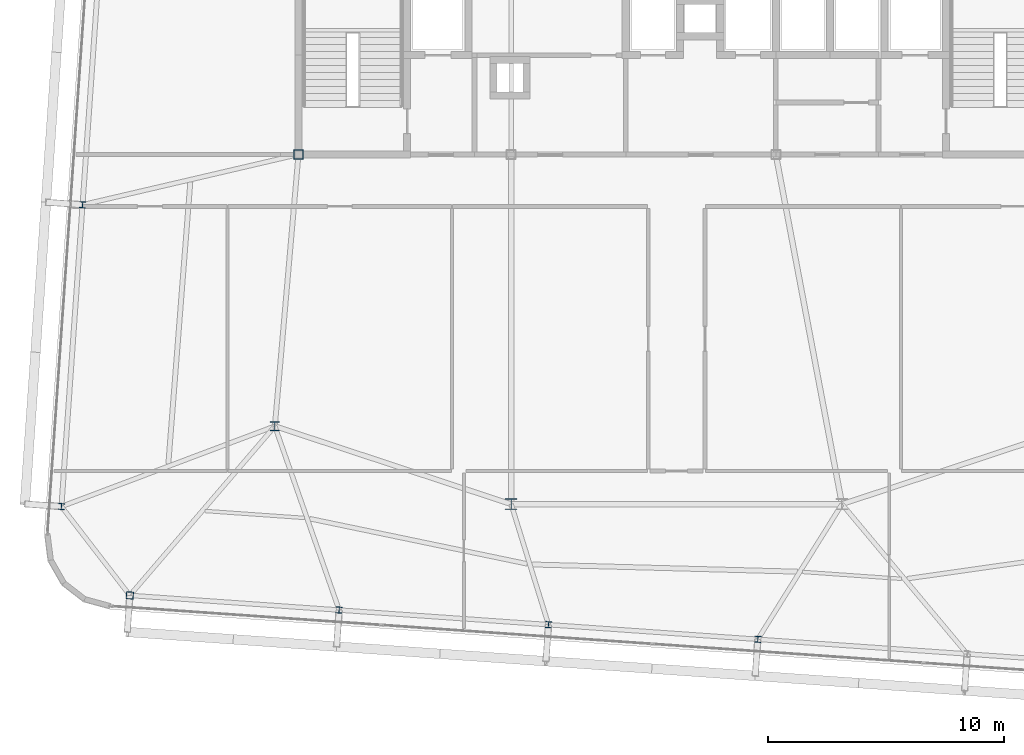
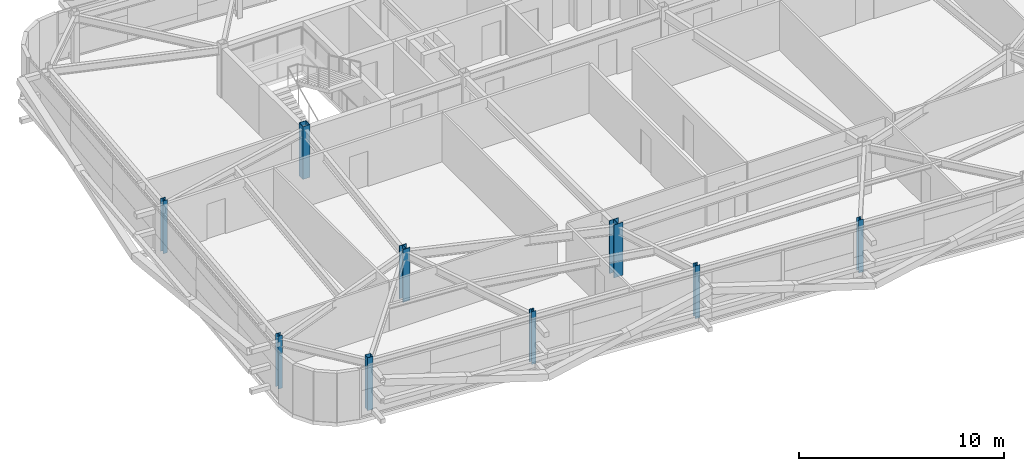
# One storey, part 1 of 39: 9 columns.
"""IFC4 building model written with IfcOpenShell, lengths in metres."""

from ifc_helpers import new_model, si_unit, direction, frame, origin, origin_2d, place, context, subcontext, project, spatial, hollow_rectangle, i_section, extrude, source, transform, mapped, material, material_profile, profile_set, type_object, element, save


model = new_model("IFC4")

# Units and contexts
model_context = context("Model", 3, precision=1e-05, world=origin(), true_north=direction((0.0, 1.0)))
body_context = subcontext(model_context, "Body", "Model", "MODEL_VIEW")
ifc_project = project(units=[si_unit("LENGTHUNIT", "METRE"), si_unit("AREAUNIT", "SQUARE_METRE"), si_unit("VOLUMEUNIT", "CUBIC_METRE"), si_unit("PLANEANGLEUNIT", "RADIAN"), si_unit("MASSUNIT", "GRAM", prefix="KILO")], contexts=[model_context])

# Site, building, storey
site_placement = place(None, origin())
site = spatial("IfcSite", under=ifc_project, at=site_placement, CompositionType="ELEMENT")
building_placement = place(site_placement, origin())
building = spatial("IfcBuilding", under=site, at=building_placement, Name="Taldren Reach Tower", CompositionType="ELEMENT")
storey_placement = place(building_placement, frame((0.0, 0.0, 129.85009765625)))
storey = spatial("IfcBuildingStorey", under=building, at=storey_placement, Name="L39", CompositionType="ELEMENT", Elevation=129.85009765625)

# Columns
ifc_material_1 = material(Name="Steel Gr 350 (350PLUS)", Category="steel")
ifc_material_profile_1 = material_profile(ifc_material_1, i_section(OverallWidth=0.39990234375, OverallDepth=0.39599609375, WebThickness=0.02197265625, FlangeThickness=0.033935546875, at=origin_2d()), Name="400WC270")
ifc_profile_set_1 = profile_set([ifc_material_profile_1], Name="Steel Gr 350 (350PLUS)")
column_type_1 = type_object("IfcColumnType", Name="COL-WC400", PredefinedType="COLUMN", material=ifc_profile_set_1)
shared_shape_1 = source(origin(), body_context, "Body", "SweptSolid", [
    extrude(i_section(OverallWidth=0.39990234375, OverallDepth=0.39599609375, WebThickness=0.02197265625, FlangeThickness=0.033935546875, at=origin_2d()), origin(), (0.0, 0.0, 1.0), 3.14990234375),
])
column_1_placement = place(storey_placement, frame((18.0, 12.5, 0.0), z_axis=(0.0, 0.0, 1.0), x_axis=(1.0, 0.0, 0.0)))
element("IfcColumn", 1, at=column_1_placement, inside=storey, type_object=column_type_1, Name="Mega column MC-SW L39", PredefinedType="COLUMN", context=body_context, shape_type="MappedRepresentation", body=[
    mapped(shared_shape_1, transform((0.0, 0.0, 0.0), scale=1.0)),
])
ifc_material_profile_2 = material_profile(ifc_material_1, i_section(OverallWidth=0.5, OverallDepth=0.464111328125, WebThickness=0.02197265625, FlangeThickness=0.033935546875, at=origin_2d()), Name="500WC340")
ifc_profile_set_2 = profile_set([ifc_material_profile_2], Name="Steel Gr 350 (350PLUS)")
column_type_2 = type_object("IfcColumnType", Name="COL-WC500B", PredefinedType="COLUMN", material=ifc_profile_set_2)
shared_shape_2 = source(origin(), body_context, "Body", "SweptSolid", [
    extrude(i_section(OverallWidth=0.5, OverallDepth=0.464111328125, WebThickness=0.02197265625, FlangeThickness=0.033935546875, at=origin_2d()), origin(), (0.0, 0.0, 1.0), 3.14990234375),
])
column_2_placement = place(storey_placement, frame((28.0, 9.199951171875, 0.0), z_axis=(0.0, 0.0, 1.0), x_axis=(1.0, 0.0, 0.0)))
element("IfcColumn", 2, at=column_2_placement, inside=storey, type_object=column_type_2, Name="Mega column MC-PJW L39", PredefinedType="COLUMN", context=body_context, shape_type="MappedRepresentation", body=[
    mapped(shared_shape_2, transform((0.0, 0.0, 0.0), scale=1.0)),
])
ifc_material_2 = material(Name="Steel Gr 450 (C450L0)", Category="steel")
ifc_material_profile_3 = material_profile(ifc_material_2, hollow_rectangle(XDim=0.39990234375, YDim=0.39990234375, WallThickness=0.01611328125, at=origin_2d()), Name="400x400x16.0SHS")
ifc_profile_set_3 = profile_set([ifc_material_profile_3], Name="Steel Gr 450 (C450L0)")
column_type_3 = type_object("IfcColumnType", Name="COL-SHS400", PredefinedType="COLUMN", material=ifc_profile_set_3)
shared_shape_3 = source(origin(), body_context, "Body", "SweptSolid", [
    extrude(hollow_rectangle(XDim=0.39990234375, YDim=0.39990234375, WallThickness=0.01611328125, at=origin_2d()), origin(), (0.0, 0.0, 1.0), 3.14990234375),
])
column_3_placement = place(storey_placement, frame((19.0, 24.0, 0.0), z_axis=(0.0, 0.0, 1.0), x_axis=(1.0, 0.0, 0.0)))
element("IfcColumn", 3, at=column_3_placement, inside=storey, type_object=column_type_3, Name="Mega column MC-C1 L39", PredefinedType="COLUMN", context=body_context, shape_type="MappedRepresentation", body=[
    mapped(shared_shape_3, transform((0.0, 0.0, 0.0), scale=1.0)),
])
ifc_material_profile_4 = material_profile(ifc_material_2, hollow_rectangle(XDim=0.300048828125, YDim=0.300048828125, WallThickness=0.012451171875, at=origin_2d()), Name="300x300x12.5SHS")
ifc_profile_set_4 = profile_set([ifc_material_profile_4], Name="Steel Gr 450 (C450L0)")
column_type_4 = type_object("IfcColumnType", Name="COL-SHS300", PredefinedType="COLUMN", material=ifc_profile_set_4)
shared_shape_4 = source(origin(), body_context, "Body", "SweptSolid", [
    extrude(hollow_rectangle(XDim=0.300048828125, YDim=0.300048828125, WallThickness=0.012451171875, at=origin_2d()), origin(), (0.0, 0.0, 1.0), 3.14990234375),
])
column_4_placement = place(storey_placement, frame((11.863525390625, 5.33837890625, 0.0), z_axis=(0.0, 0.0, 1.0), x_axis=(0.99756405026, -0.069756473744, 0.0)))
element("IfcColumn", 4, at=column_4_placement, inside=storey, type_object=column_type_4, Name="Block B3 perimeter column S1 L39", PredefinedType="COLUMN", context=body_context, shape_type="MappedRepresentation", body=[
    mapped(shared_shape_4, transform((0.0, 0.0, 0.0), scale=1.0)),
])
ifc_material_profile_5 = material_profile(ifc_material_1, i_section(OverallWidth=0.256103515625, OverallDepth=0.260009765625, WebThickness=0.010498046875, FlangeThickness=0.017333984375, at=origin_2d()), Name="250UC89.5")
ifc_profile_set_5 = profile_set([ifc_material_profile_5], Name="Steel Gr 350 (350PLUS)")
column_type_5 = type_object("IfcColumnType", Name="COL-UC250", PredefinedType="COLUMN", material=ifc_profile_set_5)
shared_shape_5 = source(origin(), body_context, "Body", "SweptSolid", [
    extrude(i_section(OverallWidth=0.256103515625, OverallDepth=0.260009765625, WebThickness=0.010498046875, FlangeThickness=0.017333984375, at=origin_2d()), origin(), (0.0, 0.0, 1.0), 3.14990234375),
])
for number, where, z_axis, x_axis, name in (
    (5, (20.721923828125, 4.718994140625, 0.0), (0.0, 0.0, 1.0), (0.99756405026, -0.069756473744, 0.0), "Block B3 perimeter column S2 L39"),
    (6, (29.580322265625, 4.099609375, 0.0), (0.0, 0.0, 1.0), (0.99756405026, -0.069756473744, 0.0), "Block B3 perimeter column S3 L39"),
    (7, (38.438720703125, 3.480224609375, 0.0), (0.0, 0.0, 1.0), (0.99756405026, -0.069756473744, 0.0), "Block B3 perimeter column S4 L39"),
    (8, (8.96875, 9.099609375, 0.0), (0.0, 0.0, 1.0), (0.99756405026, -0.069756473744, 0.0), "Block B3 perimeter column W1 L39"),
    (9, (9.86181640625, 21.868408203125, 0.0), (0.0, 0.0, 1.0), (0.99756405026, -0.069756473744, 0.0), "Block B3 perimeter column W2 L39"),
):
    element("IfcColumn", number, at=place(storey_placement, frame(where, z_axis=z_axis, x_axis=x_axis)), inside=storey, type_object=column_type_5, Name=name, PredefinedType="COLUMN", context=body_context, shape_type="MappedRepresentation", body=[
        mapped(shared_shape_5, transform((0.0, 0.0, 0.0), scale=1.0)),
    ])

save(model, "model.ifc")
